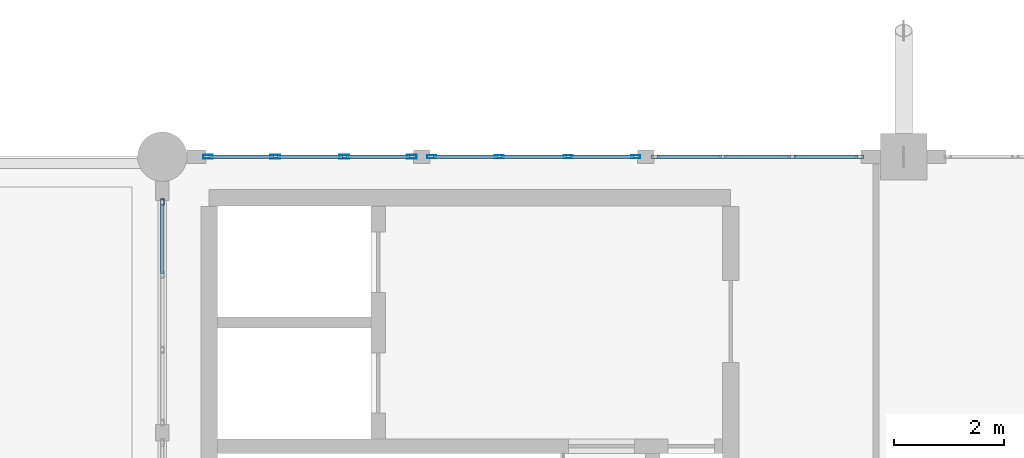
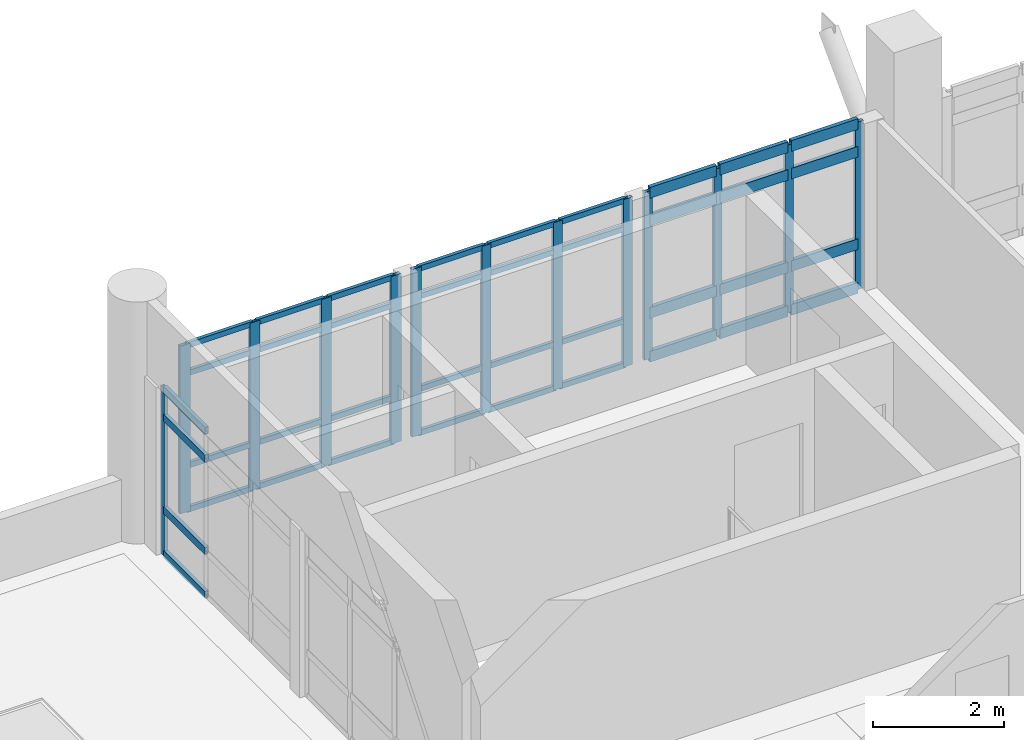
# One storey, part 5 of 37: 53 members, 4 elements without a shape of their own.
"""IFC4 building model written with IfcOpenShell, lengths in metres."""

from ifc_helpers import new_model, si_unit, direction, frame, origin, origin_2d, place, context, subcontext, project, spatial, hollow_rectangle, extrude, material, layer, layer_set, material_profile, profile_set, type_object, element, aggregate, save


model = new_model("IFC4")

# Units and contexts
model_context = context("Model", 3, precision=1e-05, world=origin(), true_north=direction((0.0, 1.0)))
body_context = subcontext(model_context, "Body", "Model", "MODEL_VIEW")
ifc_project = project(units=[si_unit("LENGTHUNIT", "METRE"), si_unit("AREAUNIT", "SQUARE_METRE"), si_unit("VOLUMEUNIT", "CUBIC_METRE"), si_unit("PLANEANGLEUNIT", "RADIAN"), si_unit("MASSUNIT", "GRAM", prefix="KILO")], contexts=[model_context])

# Site, building, storey
site_placement = place(None, origin())
site = spatial("IfcSite", under=ifc_project, at=site_placement, CompositionType="ELEMENT")
building_placement = place(site_placement, origin())
building = spatial("IfcBuilding", under=site, at=building_placement, Name="Fikremerkos Civic Library", CompositionType="ELEMENT")
storey_placement = place(building_placement, frame((0.0, 0.0, 23.39990234375)))
storey = spatial("IfcBuildingStorey", under=building, at=storey_placement, Name="L05", CompositionType="ELEMENT", Elevation=23.39990234375)

# Curtain wall, members
ifc_material = material(Name="Anodized aluminium Frame", Category="aluminium")
ifc_layer_1 = layer(ifc_material, 0.159912109375, Name="Anodized aluminium Frame")
ifc_layer_set_1 = layer_set([ifc_layer_1], Name="Anodized aluminium Frame")
curtain_wall_type_1 = type_object("IfcCurtainWallType", Name="Unitised curtain wall CW-05 3800x4100", PredefinedType="USERDEFINED", material=ifc_layer_set_1)
curtain_wall_1_placement = place(storey_placement, origin())
curtain_wall_1 = element("IfcCurtainWall", 1, at=curtain_wall_1_placement, inside=storey, type_object=curtain_wall_type_1, Name="Unitised curtain wall CW-05 L05 #257", ObjectType="UNITISED CURTAIN WALL", PredefinedType="USERDEFINED")
ifc_material_profile_1 = material_profile(ifc_material, hollow_rectangle(XDim=0.06494140625, YDim=0.179931640625, WallThickness=0.00439453125, at=origin_2d()), Name="ALU 180x65x4.5")
ifc_profile_set_1 = profile_set([ifc_material_profile_1], Name="Anodized aluminium Frame")
member_type_1 = type_object("IfcMemberType", Name="Curtain mullion CWM-01 ALU 180x65x4.5", PredefinedType="MULLION", material=ifc_profile_set_1)
member_1_placement = place(storey_placement, frame((20.030517578125, 31.199951171875, 0.0), z_axis=(0.0, 0.0, 1.0), x_axis=(0.0, 1.0, 0.0)))
member_1 = element("IfcMember", 2, at=member_1_placement, type_object=member_type_1, Name="CW-05 mullion 1", PredefinedType="MULLION", context=body_context, shape_type="SweptSolid", body=[
    extrude(hollow_rectangle(XDim=0.06494140625, YDim=0.179931640625, WallThickness=0.00439453125, at=origin_2d()), origin(), (0.0, 0.0, 1.0), 3.1201171875),
])
member_2_placement = place(storey_placement, frame((21.2568359375, 31.199951171875, 0.0), z_axis=(0.0, 0.0, 1.0), x_axis=(0.0, 1.0, 0.0)))
member_2 = element("IfcMember", 3, at=member_2_placement, type_object=member_type_1, Name="CW-05 mullion 2", PredefinedType="MULLION", context=body_context, shape_type="SweptSolid", body=[
    extrude(hollow_rectangle(XDim=0.06494140625, YDim=0.179931640625, WallThickness=0.00439453125, at=origin_2d()), origin(), (0.0, 0.0, 1.0), 3.1201171875),
])
member_3_placement = place(storey_placement, frame((22.515625, 31.199951171875, 0.0), z_axis=(0.0, 0.0, 1.0), x_axis=(0.0, 1.0, 0.0)))
member_3 = element("IfcMember", 4, at=member_3_placement, type_object=member_type_1, Name="CW-05 mullion 3", PredefinedType="MULLION", context=body_context, shape_type="SweptSolid", body=[
    extrude(hollow_rectangle(XDim=0.06494140625, YDim=0.179931640625, WallThickness=0.00439453125, at=origin_2d()), origin(), (0.0, 0.0, 1.0), 3.1201171875),
])
member_4_placement = place(storey_placement, frame((23.741943359375, 31.199951171875, 0.0), z_axis=(0.0, 0.0, 1.0), x_axis=(0.0, 1.0, 0.0)))
member_4 = element("IfcMember", 5, at=member_4_placement, type_object=member_type_1, Name="CW-05 mullion 4", PredefinedType="MULLION", context=body_context, shape_type="SweptSolid", body=[
    extrude(hollow_rectangle(XDim=0.06494140625, YDim=0.179931640625, WallThickness=0.00439453125, at=origin_2d()), origin(), (0.0, 0.0, 1.0), 3.1201171875),
])

ifc_layer_2 = layer(ifc_material, 0.159912109375, Name="Anodized aluminium Frame")
ifc_layer_set_2 = layer_set([ifc_layer_2], Name="Anodized aluminium Frame")
curtain_wall_type_2 = type_object("IfcCurtainWallType", Name="Unitised curtain wall CW-06 4200x4100", PredefinedType="USERDEFINED", material=ifc_layer_set_2)
curtain_wall_2_placement = place(storey_placement, origin())
curtain_wall_2 = element("IfcCurtainWall", 6, at=curtain_wall_2_placement, inside=storey, type_object=curtain_wall_type_2, Name="Unitised curtain wall CW-06 L05 #258", ObjectType="UNITISED CURTAIN WALL", PredefinedType="USERDEFINED")
ifc_material_profile_2 = material_profile(ifc_material, hollow_rectangle(XDim=0.06005859375, YDim=0.159912109375, WallThickness=0.00390625, at=origin_2d()), Name="ALU 160x60x4")
ifc_profile_set_2 = profile_set([ifc_material_profile_2], Name="Anodized aluminium Frame")
member_type_2 = type_object("IfcMemberType", Name="Curtain mullion CWM-02 ALU 160x60x4", PredefinedType="MULLION", material=ifc_profile_set_2)
member_5_placement = place(storey_placement, frame((24.104248046875, 31.199951171875, 0.0), z_axis=(0.0, 0.0, 1.0), x_axis=(0.0, 1.0, 0.0)))
member_5 = element("IfcMember", 7, at=member_5_placement, type_object=member_type_2, Name="CW-06 mullion 1", PredefinedType="MULLION", context=body_context, shape_type="SweptSolid", body=[
    extrude(hollow_rectangle(XDim=0.06005859375, YDim=0.159912109375, WallThickness=0.00390625, at=origin_2d()), origin(), (0.0, 0.0, 1.0), 3.1201171875),
])
member_6_placement = place(storey_placement, frame((25.3330078125, 31.199951171875, 0.0), z_axis=(0.0, 0.0, 1.0), x_axis=(0.0, 1.0, 0.0)))
member_6 = element("IfcMember", 8, at=member_6_placement, type_object=member_type_2, Name="CW-06 mullion 2", PredefinedType="MULLION", context=body_context, shape_type="SweptSolid", body=[
    extrude(hollow_rectangle(XDim=0.06005859375, YDim=0.159912109375, WallThickness=0.00390625, at=origin_2d()), origin(), (0.0, 0.0, 1.0), 3.1201171875),
])
member_7_placement = place(storey_placement, frame((26.591796875, 31.199951171875, 0.0), z_axis=(0.0, 0.0, 1.0), x_axis=(0.0, 1.0, 0.0)))
member_7 = element("IfcMember", 9, at=member_7_placement, type_object=member_type_2, Name="CW-06 mullion 3", PredefinedType="MULLION", context=body_context, shape_type="SweptSolid", body=[
    extrude(hollow_rectangle(XDim=0.06005859375, YDim=0.159912109375, WallThickness=0.00390625, at=origin_2d()), origin(), (0.0, 0.0, 1.0), 3.1201171875),
])
member_8_placement = place(storey_placement, frame((27.820556640625, 31.199951171875, 0.0), z_axis=(0.0, 0.0, 1.0), x_axis=(0.0, 1.0, 0.0)))
member_8 = element("IfcMember", 10, at=member_8_placement, type_object=member_type_2, Name="CW-06 mullion 4", PredefinedType="MULLION", context=body_context, shape_type="SweptSolid", body=[
    extrude(hollow_rectangle(XDim=0.06005859375, YDim=0.159912109375, WallThickness=0.00390625, at=origin_2d()), origin(), (0.0, 0.0, 1.0), 3.1201171875),
])

ifc_layer_3 = layer(ifc_material, 0.159912109375, Name="Anodized aluminium Frame")
ifc_layer_set_3 = layer_set([ifc_layer_3], Name="Anodized aluminium Frame")
curtain_wall_type_3 = type_object("IfcCurtainWallType", Name="Unitised curtain wall CW-07 3500x4100", PredefinedType="USERDEFINED", material=ifc_layer_set_3)
curtain_wall_3_placement = place(storey_placement, origin())
curtain_wall_3 = element("IfcCurtainWall", 11, at=curtain_wall_3_placement, inside=storey, type_object=curtain_wall_type_3, Name="Unitised curtain wall CW-07 L05 #259", ObjectType="UNITISED CURTAIN WALL", PredefinedType="USERDEFINED")
ifc_material_profile_3 = material_profile(ifc_material, hollow_rectangle(XDim=0.06005859375, YDim=0.139892578125, WallThickness=0.00390625, at=origin_2d()), Name="ALU 140x60x4")
ifc_profile_set_3 = profile_set([ifc_material_profile_3], Name="Anodized aluminium Frame")
member_type_3 = type_object("IfcMemberType", Name="Curtain mullion CWM-03 ALU 140x60x4", PredefinedType="MULLION", material=ifc_profile_set_3)
member_9_placement = place(storey_placement, frame((28.1806640625, 31.199951171875, 0.0), z_axis=(0.0, 0.0, 1.0), x_axis=(0.0, 1.0, 0.0)))
member_9 = element("IfcMember", 12, at=member_9_placement, type_object=member_type_3, Name="CW-07 mullion 1", PredefinedType="MULLION", context=body_context, shape_type="SweptSolid", body=[
    extrude(hollow_rectangle(XDim=0.06005859375, YDim=0.139892578125, WallThickness=0.00390625, at=origin_2d()), origin(), (0.0, 0.0, 1.0), 3.1201171875),
])
member_10_placement = place(storey_placement, frame((29.409423828125, 31.199951171875, 0.0), z_axis=(0.0, 0.0, 1.0), x_axis=(0.0, 1.0, 0.0)))
member_10 = element("IfcMember", 13, at=member_10_placement, type_object=member_type_3, Name="CW-07 mullion 2", PredefinedType="MULLION", context=body_context, shape_type="SweptSolid", body=[
    extrude(hollow_rectangle(XDim=0.06005859375, YDim=0.139892578125, WallThickness=0.00390625, at=origin_2d()), origin(), (0.0, 0.0, 1.0), 3.1201171875),
])
member_11_placement = place(storey_placement, frame((30.668212890625, 31.199951171875, 0.0), z_axis=(0.0, 0.0, 1.0), x_axis=(0.0, 1.0, 0.0)))
member_11 = element("IfcMember", 14, at=member_11_placement, type_object=member_type_3, Name="CW-07 mullion 3", PredefinedType="MULLION", context=body_context, shape_type="SweptSolid", body=[
    extrude(hollow_rectangle(XDim=0.06005859375, YDim=0.139892578125, WallThickness=0.00390625, at=origin_2d()), origin(), (0.0, 0.0, 1.0), 3.1201171875),
])
member_12_placement = place(storey_placement, frame((31.89697265625, 31.199951171875, 0.0), z_axis=(0.0, 0.0, 1.0), x_axis=(0.0, 1.0, 0.0)))
member_12 = element("IfcMember", 15, at=member_12_placement, type_object=member_type_3, Name="CW-07 mullion 4", PredefinedType="MULLION", context=body_context, shape_type="SweptSolid", body=[
    extrude(hollow_rectangle(XDim=0.06005859375, YDim=0.139892578125, WallThickness=0.00390625, at=origin_2d()), origin(), (0.0, 0.0, 1.0), 3.1201171875),
])

ifc_layer_4 = layer(ifc_material, 0.159912109375, Name="Anodized aluminium Frame")
ifc_layer_set_4 = layer_set([ifc_layer_4], Name="Anodized aluminium Frame")
curtain_wall_type_4 = type_object("IfcCurtainWallType", Name="Unitised curtain wall CW-04 3400x3600", PredefinedType="USERDEFINED", material=ifc_layer_set_4)
curtain_wall_4_placement = place(storey_placement, origin())
curtain_wall_4 = element("IfcCurtainWall", 16, at=curtain_wall_4_placement, inside=storey, type_object=curtain_wall_type_4, Name="Unitised curtain wall CW-04 L05 #256", ObjectType="UNITISED CURTAIN WALL", PredefinedType="USERDEFINED")
ifc_material_profile_4 = material_profile(ifc_material, hollow_rectangle(XDim=0.06005859375, YDim=0.1201171875, WallThickness=0.00390625, at=origin_2d()), Name="ALU 120x60x4")
ifc_profile_set_4 = profile_set([ifc_material_profile_4], Name="Anodized aluminium Frame")
member_type_4 = type_object("IfcMemberType", Name="Curtain mullion CWM-04 ALU 120x60x4", PredefinedType="MULLION", material=ifc_profile_set_4)
member_13_placement = place(storey_placement, frame((19.199951171875, 30.3720703125, 0.0), z_axis=(0.0, 0.0, 1.0), x_axis=(-1.0, 0.0, 0.0)))
member_13 = element("IfcMember", 17, at=member_13_placement, type_object=member_type_4, Name="CW-04 mullion 4", PredefinedType="MULLION", context=body_context, shape_type="SweptSolid", body=[
    extrude(hollow_rectangle(XDim=0.06005859375, YDim=0.1201171875, WallThickness=0.00390625, at=origin_2d()), origin(), (0.0, 0.0, 1.0), 3.1201171875),
])
ifc_material_profile_5 = material_profile(ifc_material, hollow_rectangle(XDim=0.06494140625, YDim=0.135009765625, WallThickness=0.00439453125, at=origin_2d()), Name="ALU 135x65x4.5")
ifc_profile_set_5 = profile_set([ifc_material_profile_5], Name="Anodized aluminium Frame")
member_type_5 = type_object("IfcMemberType", Name="Curtain transom CWT-02 ALU 135x65x4.5", PredefinedType="USERDEFINED", material=ifc_profile_set_5)
member_14_placement = place(storey_placement, frame((19.199951171875, 29.07373046875, 0.03271484375), z_axis=(0.0, 1.0, 0.0), x_axis=(-1.0, 0.0, 0.0)))
member_14 = element("IfcMember", 18, at=member_14_placement, type_object=member_type_5, Name="CW-04 transom 3.1", ObjectType="TRANSOM", PredefinedType="USERDEFINED", context=body_context, shape_type="SweptSolid", body=[
    extrude(hollow_rectangle(XDim=0.06494140625, YDim=0.135009765625, WallThickness=0.00439453125, at=origin_2d()), origin(), (0.0, 0.0, 1.0), 1.268310546875),
])
member_15_placement = place(storey_placement, frame((19.199951171875, 29.07373046875, 0.85009765625), z_axis=(0.0, 1.0, 0.0), x_axis=(-1.0, 0.0, 0.0)))
member_15 = element("IfcMember", 19, at=member_15_placement, type_object=member_type_5, Name="CW-04 transom 3.2", ObjectType="TRANSOM", PredefinedType="USERDEFINED", context=body_context, shape_type="SweptSolid", body=[
    extrude(hollow_rectangle(XDim=0.06494140625, YDim=0.135009765625, WallThickness=0.00439453125, at=origin_2d()), origin(), (0.0, 0.0, 1.0), 1.268310546875),
])
member_16_placement = place(storey_placement, frame((19.199951171875, 29.07373046875, 2.570068359375), z_axis=(0.0, 1.0, 0.0), x_axis=(-1.0, 0.0, 0.0)))
member_16 = element("IfcMember", 20, at=member_16_placement, type_object=member_type_5, Name="CW-04 transom 3.3", ObjectType="TRANSOM", PredefinedType="USERDEFINED", context=body_context, shape_type="SweptSolid", body=[
    extrude(hollow_rectangle(XDim=0.06494140625, YDim=0.135009765625, WallThickness=0.00439453125, at=origin_2d()), origin(), (0.0, 0.0, 1.0), 1.268310546875),
])
member_17_placement = place(storey_placement, frame((19.199951171875, 29.07373046875, 3.087646484375), z_axis=(0.0, 1.0, 0.0), x_axis=(-1.0, 0.0, 0.0)))
member_17 = element("IfcMember", 21, at=member_17_placement, type_object=member_type_5, Name="CW-04 transom 3.4", ObjectType="TRANSOM", PredefinedType="USERDEFINED", context=body_context, shape_type="SweptSolid", body=[
    extrude(hollow_rectangle(XDim=0.06494140625, YDim=0.135009765625, WallThickness=0.00439453125, at=origin_2d()), origin(), (0.0, 0.0, 1.0), 1.268310546875),
])
aggregate(curtain_wall_4, [member_13, member_14, member_15, member_16, member_17])

# Member
ifc_material_profile_6 = material_profile(ifc_material, hollow_rectangle(XDim=0.06005859375, YDim=0.10009765625, WallThickness=0.00390625, at=origin_2d()), Name="ALU 100x60x4")
ifc_profile_set_6 = profile_set([ifc_material_profile_6], Name="Anodized aluminium Frame")
member_type_6 = type_object("IfcMemberType", Name="Curtain transom CWT-03 ALU 100x60x4", PredefinedType="USERDEFINED", material=ifc_profile_set_6)
member_18_placement = place(storey_placement, frame((20.06298828125, 31.199951171875, 0.030029296875), z_axis=(1.0, 0.0, 0.0), x_axis=(0.0, 1.0, 0.0)))
member_18 = element("IfcMember", 22, at=member_18_placement, type_object=member_type_6, Name="CW-05 transom 1.1", ObjectType="TRANSOM", PredefinedType="USERDEFINED", context=body_context, shape_type="SweptSolid", body=[
    extrude(hollow_rectangle(XDim=0.06005859375, YDim=0.10009765625, WallThickness=0.00390625, at=origin_2d()), origin(), (0.0, 0.0, 1.0), 1.161376953125),
])

member_19_placement = place(storey_placement, frame((20.06298828125, 31.199951171875, 0.85009765625), z_axis=(1.0, 0.0, 0.0), x_axis=(0.0, 1.0, 0.0)))
member_19 = element("IfcMember", 23, at=member_19_placement, type_object=member_type_6, Name="CW-05 transom 1.2", ObjectType="TRANSOM", PredefinedType="USERDEFINED", context=body_context, shape_type="SweptSolid", body=[
    extrude(hollow_rectangle(XDim=0.06005859375, YDim=0.10009765625, WallThickness=0.00390625, at=origin_2d()), origin(), (0.0, 0.0, 1.0), 1.161376953125),
])

member_20_placement = place(storey_placement, frame((20.06298828125, 31.199951171875, 2.570068359375), z_axis=(1.0, 0.0, 0.0), x_axis=(0.0, 1.0, 0.0)))
member_20 = element("IfcMember", 24, at=member_20_placement, type_object=member_type_6, Name="CW-05 transom 1.3", ObjectType="TRANSOM", PredefinedType="USERDEFINED", context=body_context, shape_type="SweptSolid", body=[
    extrude(hollow_rectangle(XDim=0.06005859375, YDim=0.10009765625, WallThickness=0.00390625, at=origin_2d()), origin(), (0.0, 0.0, 1.0), 1.161376953125),
])

member_21_placement = place(storey_placement, frame((20.06298828125, 31.199951171875, 3.090087890625), z_axis=(1.0, 0.0, 0.0), x_axis=(0.0, 1.0, 0.0)))
member_21 = element("IfcMember", 25, at=member_21_placement, type_object=member_type_6, Name="CW-05 transom 1.4", ObjectType="TRANSOM", PredefinedType="USERDEFINED", context=body_context, shape_type="SweptSolid", body=[
    extrude(hollow_rectangle(XDim=0.06005859375, YDim=0.10009765625, WallThickness=0.00390625, at=origin_2d()), origin(), (0.0, 0.0, 1.0), 1.161376953125),
])

member_22_placement = place(storey_placement, frame((21.289306640625, 31.199951171875, 0.030029296875), z_axis=(1.0, 0.0, 0.0), x_axis=(0.0, 1.0, 0.0)))
member_22 = element("IfcMember", 26, at=member_22_placement, type_object=member_type_6, Name="CW-05 transom 2.1", ObjectType="TRANSOM", PredefinedType="USERDEFINED", context=body_context, shape_type="SweptSolid", body=[
    extrude(hollow_rectangle(XDim=0.06005859375, YDim=0.10009765625, WallThickness=0.00390625, at=origin_2d()), origin(), (0.0, 0.0, 1.0), 1.19384765625),
])

member_23_placement = place(storey_placement, frame((21.289306640625, 31.199951171875, 0.85009765625), z_axis=(1.0, 0.0, 0.0), x_axis=(0.0, 1.0, 0.0)))
member_23 = element("IfcMember", 27, at=member_23_placement, type_object=member_type_6, Name="CW-05 transom 2.2", ObjectType="TRANSOM", PredefinedType="USERDEFINED", context=body_context, shape_type="SweptSolid", body=[
    extrude(hollow_rectangle(XDim=0.06005859375, YDim=0.10009765625, WallThickness=0.00390625, at=origin_2d()), origin(), (0.0, 0.0, 1.0), 1.19384765625),
])

member_24_placement = place(storey_placement, frame((21.289306640625, 31.199951171875, 2.570068359375), z_axis=(1.0, 0.0, 0.0), x_axis=(0.0, 1.0, 0.0)))
member_24 = element("IfcMember", 28, at=member_24_placement, type_object=member_type_6, Name="CW-05 transom 2.3", ObjectType="TRANSOM", PredefinedType="USERDEFINED", context=body_context, shape_type="SweptSolid", body=[
    extrude(hollow_rectangle(XDim=0.06005859375, YDim=0.10009765625, WallThickness=0.00390625, at=origin_2d()), origin(), (0.0, 0.0, 1.0), 1.19384765625),
])

member_25_placement = place(storey_placement, frame((21.289306640625, 31.199951171875, 3.090087890625), z_axis=(1.0, 0.0, 0.0), x_axis=(0.0, 1.0, 0.0)))
member_25 = element("IfcMember", 29, at=member_25_placement, type_object=member_type_6, Name="CW-05 transom 2.4", ObjectType="TRANSOM", PredefinedType="USERDEFINED", context=body_context, shape_type="SweptSolid", body=[
    extrude(hollow_rectangle(XDim=0.06005859375, YDim=0.10009765625, WallThickness=0.00390625, at=origin_2d()), origin(), (0.0, 0.0, 1.0), 1.19384765625),
])

member_26_placement = place(storey_placement, frame((22.548095703125, 31.199951171875, 0.030029296875), z_axis=(1.0, 0.0, 0.0), x_axis=(0.0, 1.0, 0.0)))
member_26 = element("IfcMember", 30, at=member_26_placement, type_object=member_type_6, Name="CW-05 transom 3.1", ObjectType="TRANSOM", PredefinedType="USERDEFINED", context=body_context, shape_type="SweptSolid", body=[
    extrude(hollow_rectangle(XDim=0.06005859375, YDim=0.10009765625, WallThickness=0.00390625, at=origin_2d()), origin(), (0.0, 0.0, 1.0), 1.1611328125),
])

member_27_placement = place(storey_placement, frame((22.548095703125, 31.199951171875, 0.85009765625), z_axis=(1.0, 0.0, 0.0), x_axis=(0.0, 1.0, 0.0)))
member_27 = element("IfcMember", 31, at=member_27_placement, type_object=member_type_6, Name="CW-05 transom 3.2", ObjectType="TRANSOM", PredefinedType="USERDEFINED", context=body_context, shape_type="SweptSolid", body=[
    extrude(hollow_rectangle(XDim=0.06005859375, YDim=0.10009765625, WallThickness=0.00390625, at=origin_2d()), origin(), (0.0, 0.0, 1.0), 1.1611328125),
])

member_28_placement = place(storey_placement, frame((22.548095703125, 31.199951171875, 2.570068359375), z_axis=(1.0, 0.0, 0.0), x_axis=(0.0, 1.0, 0.0)))
member_28 = element("IfcMember", 32, at=member_28_placement, type_object=member_type_6, Name="CW-05 transom 3.3", ObjectType="TRANSOM", PredefinedType="USERDEFINED", context=body_context, shape_type="SweptSolid", body=[
    extrude(hollow_rectangle(XDim=0.06005859375, YDim=0.10009765625, WallThickness=0.00390625, at=origin_2d()), origin(), (0.0, 0.0, 1.0), 1.1611328125),
])

member_29_placement = place(storey_placement, frame((22.548095703125, 31.199951171875, 3.090087890625), z_axis=(1.0, 0.0, 0.0), x_axis=(0.0, 1.0, 0.0)))
member_29 = element("IfcMember", 33, at=member_29_placement, type_object=member_type_6, Name="CW-05 transom 3.4", ObjectType="TRANSOM", PredefinedType="USERDEFINED", context=body_context, shape_type="SweptSolid", body=[
    extrude(hollow_rectangle(XDim=0.06005859375, YDim=0.10009765625, WallThickness=0.00390625, at=origin_2d()), origin(), (0.0, 0.0, 1.0), 1.1611328125),
])

aggregate(curtain_wall_1, [member_1, member_2, member_3, member_4, member_18, member_19, member_20, member_21, member_22, member_23, member_24, member_25, member_26, member_27, member_28, member_29])

member_30_placement = place(storey_placement, frame((24.13427734375, 31.199951171875, 0.030029296875), z_axis=(1.0, 0.0, 0.0), x_axis=(0.0, 1.0, 0.0)))
member_30 = element("IfcMember", 34, at=member_30_placement, type_object=member_type_6, Name="CW-06 transom 1.1", ObjectType="TRANSOM", PredefinedType="USERDEFINED", context=body_context, shape_type="SweptSolid", body=[
    extrude(hollow_rectangle(XDim=0.06005859375, YDim=0.10009765625, WallThickness=0.00390625, at=origin_2d()), origin(), (0.0, 0.0, 1.0), 1.1689453125),
])

member_31_placement = place(storey_placement, frame((24.13427734375, 31.199951171875, 0.85009765625), z_axis=(1.0, 0.0, 0.0), x_axis=(0.0, 1.0, 0.0)))
member_31 = element("IfcMember", 35, at=member_31_placement, type_object=member_type_6, Name="CW-06 transom 1.2", ObjectType="TRANSOM", PredefinedType="USERDEFINED", context=body_context, shape_type="SweptSolid", body=[
    extrude(hollow_rectangle(XDim=0.06005859375, YDim=0.10009765625, WallThickness=0.00390625, at=origin_2d()), origin(), (0.0, 0.0, 1.0), 1.1689453125),
])

member_32_placement = place(storey_placement, frame((24.13427734375, 31.199951171875, 2.570068359375), z_axis=(1.0, 0.0, 0.0), x_axis=(0.0, 1.0, 0.0)))
member_32 = element("IfcMember", 36, at=member_32_placement, type_object=member_type_6, Name="CW-06 transom 1.3", ObjectType="TRANSOM", PredefinedType="USERDEFINED", context=body_context, shape_type="SweptSolid", body=[
    extrude(hollow_rectangle(XDim=0.06005859375, YDim=0.10009765625, WallThickness=0.00390625, at=origin_2d()), origin(), (0.0, 0.0, 1.0), 1.1689453125),
])

member_33_placement = place(storey_placement, frame((24.13427734375, 31.199951171875, 3.090087890625), z_axis=(1.0, 0.0, 0.0), x_axis=(0.0, 1.0, 0.0)))
member_33 = element("IfcMember", 37, at=member_33_placement, type_object=member_type_6, Name="CW-06 transom 1.4", ObjectType="TRANSOM", PredefinedType="USERDEFINED", context=body_context, shape_type="SweptSolid", body=[
    extrude(hollow_rectangle(XDim=0.06005859375, YDim=0.10009765625, WallThickness=0.00390625, at=origin_2d()), origin(), (0.0, 0.0, 1.0), 1.1689453125),
])

member_34_placement = place(storey_placement, frame((25.363037109375, 31.199951171875, 0.030029296875), z_axis=(1.0, 0.0, 0.0), x_axis=(0.0, 1.0, 0.0)))
member_34 = element("IfcMember", 38, at=member_34_placement, type_object=member_type_6, Name="CW-06 transom 2.1", ObjectType="TRANSOM", PredefinedType="USERDEFINED", context=body_context, shape_type="SweptSolid", body=[
    extrude(hollow_rectangle(XDim=0.06005859375, YDim=0.10009765625, WallThickness=0.00390625, at=origin_2d()), origin(), (0.0, 0.0, 1.0), 1.198974609375),
])

member_35_placement = place(storey_placement, frame((25.363037109375, 31.199951171875, 0.85009765625), z_axis=(1.0, 0.0, 0.0), x_axis=(0.0, 1.0, 0.0)))
member_35 = element("IfcMember", 39, at=member_35_placement, type_object=member_type_6, Name="CW-06 transom 2.2", ObjectType="TRANSOM", PredefinedType="USERDEFINED", context=body_context, shape_type="SweptSolid", body=[
    extrude(hollow_rectangle(XDim=0.06005859375, YDim=0.10009765625, WallThickness=0.00390625, at=origin_2d()), origin(), (0.0, 0.0, 1.0), 1.198974609375),
])

member_36_placement = place(storey_placement, frame((25.363037109375, 31.199951171875, 2.570068359375), z_axis=(1.0, 0.0, 0.0), x_axis=(0.0, 1.0, 0.0)))
member_36 = element("IfcMember", 40, at=member_36_placement, type_object=member_type_6, Name="CW-06 transom 2.3", ObjectType="TRANSOM", PredefinedType="USERDEFINED", context=body_context, shape_type="SweptSolid", body=[
    extrude(hollow_rectangle(XDim=0.06005859375, YDim=0.10009765625, WallThickness=0.00390625, at=origin_2d()), origin(), (0.0, 0.0, 1.0), 1.198974609375),
])

member_37_placement = place(storey_placement, frame((25.363037109375, 31.199951171875, 3.090087890625), z_axis=(1.0, 0.0, 0.0), x_axis=(0.0, 1.0, 0.0)))
member_37 = element("IfcMember", 41, at=member_37_placement, type_object=member_type_6, Name="CW-06 transom 2.4", ObjectType="TRANSOM", PredefinedType="USERDEFINED", context=body_context, shape_type="SweptSolid", body=[
    extrude(hollow_rectangle(XDim=0.06005859375, YDim=0.10009765625, WallThickness=0.00390625, at=origin_2d()), origin(), (0.0, 0.0, 1.0), 1.198974609375),
])

member_38_placement = place(storey_placement, frame((26.621826171875, 31.199951171875, 0.030029296875), z_axis=(1.0, 0.0, 0.0), x_axis=(0.0, 1.0, 0.0)))
member_38 = element("IfcMember", 42, at=member_38_placement, type_object=member_type_6, Name="CW-06 transom 3.1", ObjectType="TRANSOM", PredefinedType="USERDEFINED", context=body_context, shape_type="SweptSolid", body=[
    extrude(hollow_rectangle(XDim=0.06005859375, YDim=0.10009765625, WallThickness=0.00390625, at=origin_2d()), origin(), (0.0, 0.0, 1.0), 1.1689453125),
])

member_39_placement = place(storey_placement, frame((26.621826171875, 31.199951171875, 0.85009765625), z_axis=(1.0, 0.0, 0.0), x_axis=(0.0, 1.0, 0.0)))
member_39 = element("IfcMember", 43, at=member_39_placement, type_object=member_type_6, Name="CW-06 transom 3.2", ObjectType="TRANSOM", PredefinedType="USERDEFINED", context=body_context, shape_type="SweptSolid", body=[
    extrude(hollow_rectangle(XDim=0.06005859375, YDim=0.10009765625, WallThickness=0.00390625, at=origin_2d()), origin(), (0.0, 0.0, 1.0), 1.1689453125),
])

member_40_placement = place(storey_placement, frame((26.621826171875, 31.199951171875, 2.570068359375), z_axis=(1.0, 0.0, 0.0), x_axis=(0.0, 1.0, 0.0)))
member_40 = element("IfcMember", 44, at=member_40_placement, type_object=member_type_6, Name="CW-06 transom 3.3", ObjectType="TRANSOM", PredefinedType="USERDEFINED", context=body_context, shape_type="SweptSolid", body=[
    extrude(hollow_rectangle(XDim=0.06005859375, YDim=0.10009765625, WallThickness=0.00390625, at=origin_2d()), origin(), (0.0, 0.0, 1.0), 1.1689453125),
])

member_41_placement = place(storey_placement, frame((26.621826171875, 31.199951171875, 3.090087890625), z_axis=(1.0, 0.0, 0.0), x_axis=(0.0, 1.0, 0.0)))
member_41 = element("IfcMember", 45, at=member_41_placement, type_object=member_type_6, Name="CW-06 transom 3.4", ObjectType="TRANSOM", PredefinedType="USERDEFINED", context=body_context, shape_type="SweptSolid", body=[
    extrude(hollow_rectangle(XDim=0.06005859375, YDim=0.10009765625, WallThickness=0.00390625, at=origin_2d()), origin(), (0.0, 0.0, 1.0), 1.1689453125),
])

aggregate(curtain_wall_2, [member_5, member_6, member_7, member_8, member_30, member_31, member_32, member_33, member_34, member_35, member_36, member_37, member_38, member_39, member_40, member_41])

ifc_material_profile_7 = material_profile(ifc_material, hollow_rectangle(XDim=0.070068359375, YDim=0.199951171875, WallThickness=0.0048828125, at=origin_2d()), Name="ALU 200x70x5")
ifc_profile_set_7 = profile_set([ifc_material_profile_7], Name="Anodized aluminium Frame")
member_type_7 = type_object("IfcMemberType", Name="Curtain transom CWT-04 ALU 200x70x5", PredefinedType="USERDEFINED", material=ifc_profile_set_7)
member_42_placement = place(storey_placement, frame((28.210693359375, 31.199951171875, 0.03515625), z_axis=(1.0, 0.0, 0.0), x_axis=(0.0, 1.0, 0.0)))
member_42 = element("IfcMember", 46, at=member_42_placement, type_object=member_type_7, Name="CW-07 transom 1.1", ObjectType="TRANSOM", PredefinedType="USERDEFINED", context=body_context, shape_type="SweptSolid", body=[
    extrude(hollow_rectangle(XDim=0.070068359375, YDim=0.199951171875, WallThickness=0.0048828125, at=origin_2d()), origin(), (0.0, 0.0, 1.0), 1.168701171875),
])

member_43_placement = place(storey_placement, frame((28.210693359375, 31.199951171875, 0.85009765625), z_axis=(1.0, 0.0, 0.0), x_axis=(0.0, 1.0, 0.0)))
member_43 = element("IfcMember", 47, at=member_43_placement, type_object=member_type_7, Name="CW-07 transom 1.2", ObjectType="TRANSOM", PredefinedType="USERDEFINED", context=body_context, shape_type="SweptSolid", body=[
    extrude(hollow_rectangle(XDim=0.070068359375, YDim=0.199951171875, WallThickness=0.0048828125, at=origin_2d()), origin(), (0.0, 0.0, 1.0), 1.168701171875),
])

member_44_placement = place(storey_placement, frame((28.210693359375, 31.199951171875, 2.570068359375), z_axis=(1.0, 0.0, 0.0), x_axis=(0.0, 1.0, 0.0)))
member_44 = element("IfcMember", 48, at=member_44_placement, type_object=member_type_7, Name="CW-07 transom 1.3", ObjectType="TRANSOM", PredefinedType="USERDEFINED", context=body_context, shape_type="SweptSolid", body=[
    extrude(hollow_rectangle(XDim=0.070068359375, YDim=0.199951171875, WallThickness=0.0048828125, at=origin_2d()), origin(), (0.0, 0.0, 1.0), 1.168701171875),
])

member_45_placement = place(storey_placement, frame((28.210693359375, 31.199951171875, 3.085205078125), z_axis=(1.0, 0.0, 0.0), x_axis=(0.0, 1.0, 0.0)))
member_45 = element("IfcMember", 49, at=member_45_placement, type_object=member_type_7, Name="CW-07 transom 1.4", ObjectType="TRANSOM", PredefinedType="USERDEFINED", context=body_context, shape_type="SweptSolid", body=[
    extrude(hollow_rectangle(XDim=0.070068359375, YDim=0.199951171875, WallThickness=0.0048828125, at=origin_2d()), origin(), (0.0, 0.0, 1.0), 1.168701171875),
])

member_46_placement = place(storey_placement, frame((29.439453125, 31.199951171875, 0.03515625), z_axis=(1.0, 0.0, 0.0), x_axis=(0.0, 1.0, 0.0)))
member_46 = element("IfcMember", 50, at=member_46_placement, type_object=member_type_7, Name="CW-07 transom 2.1", ObjectType="TRANSOM", PredefinedType="USERDEFINED", context=body_context, shape_type="SweptSolid", body=[
    extrude(hollow_rectangle(XDim=0.070068359375, YDim=0.199951171875, WallThickness=0.0048828125, at=origin_2d()), origin(), (0.0, 0.0, 1.0), 1.19873046875),
])

member_47_placement = place(storey_placement, frame((29.439453125, 31.199951171875, 0.85009765625), z_axis=(1.0, 0.0, 0.0), x_axis=(0.0, 1.0, 0.0)))
member_47 = element("IfcMember", 51, at=member_47_placement, type_object=member_type_7, Name="CW-07 transom 2.2", ObjectType="TRANSOM", PredefinedType="USERDEFINED", context=body_context, shape_type="SweptSolid", body=[
    extrude(hollow_rectangle(XDim=0.070068359375, YDim=0.199951171875, WallThickness=0.0048828125, at=origin_2d()), origin(), (0.0, 0.0, 1.0), 1.19873046875),
])

member_48_placement = place(storey_placement, frame((29.439453125, 31.199951171875, 2.570068359375), z_axis=(1.0, 0.0, 0.0), x_axis=(0.0, 1.0, 0.0)))
member_48 = element("IfcMember", 52, at=member_48_placement, type_object=member_type_7, Name="CW-07 transom 2.3", ObjectType="TRANSOM", PredefinedType="USERDEFINED", context=body_context, shape_type="SweptSolid", body=[
    extrude(hollow_rectangle(XDim=0.070068359375, YDim=0.199951171875, WallThickness=0.0048828125, at=origin_2d()), origin(), (0.0, 0.0, 1.0), 1.19873046875),
])

member_49_placement = place(storey_placement, frame((29.439453125, 31.199951171875, 3.085205078125), z_axis=(1.0, 0.0, 0.0), x_axis=(0.0, 1.0, 0.0)))
member_49 = element("IfcMember", 53, at=member_49_placement, type_object=member_type_7, Name="CW-07 transom 2.4", ObjectType="TRANSOM", PredefinedType="USERDEFINED", context=body_context, shape_type="SweptSolid", body=[
    extrude(hollow_rectangle(XDim=0.070068359375, YDim=0.199951171875, WallThickness=0.0048828125, at=origin_2d()), origin(), (0.0, 0.0, 1.0), 1.19873046875),
])

member_50_placement = place(storey_placement, frame((30.6982421875, 31.199951171875, 0.03515625), z_axis=(1.0, 0.0, 0.0), x_axis=(0.0, 1.0, 0.0)))
member_50 = element("IfcMember", 54, at=member_50_placement, type_object=member_type_7, Name="CW-07 transom 3.1", ObjectType="TRANSOM", PredefinedType="USERDEFINED", context=body_context, shape_type="SweptSolid", body=[
    extrude(hollow_rectangle(XDim=0.070068359375, YDim=0.199951171875, WallThickness=0.0048828125, at=origin_2d()), origin(), (0.0, 0.0, 1.0), 1.168701171875),
])

member_51_placement = place(storey_placement, frame((30.6982421875, 31.199951171875, 0.85009765625), z_axis=(1.0, 0.0, 0.0), x_axis=(0.0, 1.0, 0.0)))
member_51 = element("IfcMember", 55, at=member_51_placement, type_object=member_type_7, Name="CW-07 transom 3.2", ObjectType="TRANSOM", PredefinedType="USERDEFINED", context=body_context, shape_type="SweptSolid", body=[
    extrude(hollow_rectangle(XDim=0.070068359375, YDim=0.199951171875, WallThickness=0.0048828125, at=origin_2d()), origin(), (0.0, 0.0, 1.0), 1.168701171875),
])

member_52_placement = place(storey_placement, frame((30.6982421875, 31.199951171875, 2.570068359375), z_axis=(1.0, 0.0, 0.0), x_axis=(0.0, 1.0, 0.0)))
member_52 = element("IfcMember", 56, at=member_52_placement, type_object=member_type_7, Name="CW-07 transom 3.3", ObjectType="TRANSOM", PredefinedType="USERDEFINED", context=body_context, shape_type="SweptSolid", body=[
    extrude(hollow_rectangle(XDim=0.070068359375, YDim=0.199951171875, WallThickness=0.0048828125, at=origin_2d()), origin(), (0.0, 0.0, 1.0), 1.168701171875),
])

member_53_placement = place(storey_placement, frame((30.6982421875, 31.199951171875, 3.085205078125), z_axis=(1.0, 0.0, 0.0), x_axis=(0.0, 1.0, 0.0)))
member_53 = element("IfcMember", 57, at=member_53_placement, type_object=member_type_7, Name="CW-07 transom 3.4", ObjectType="TRANSOM", PredefinedType="USERDEFINED", context=body_context, shape_type="SweptSolid", body=[
    extrude(hollow_rectangle(XDim=0.070068359375, YDim=0.199951171875, WallThickness=0.0048828125, at=origin_2d()), origin(), (0.0, 0.0, 1.0), 1.168701171875),
])

aggregate(curtain_wall_3, [member_9, member_10, member_11, member_12, member_42, member_43, member_44, member_45, member_46, member_47, member_48, member_49, member_50, member_51, member_52, member_53])

save(model, "model.ifc")
